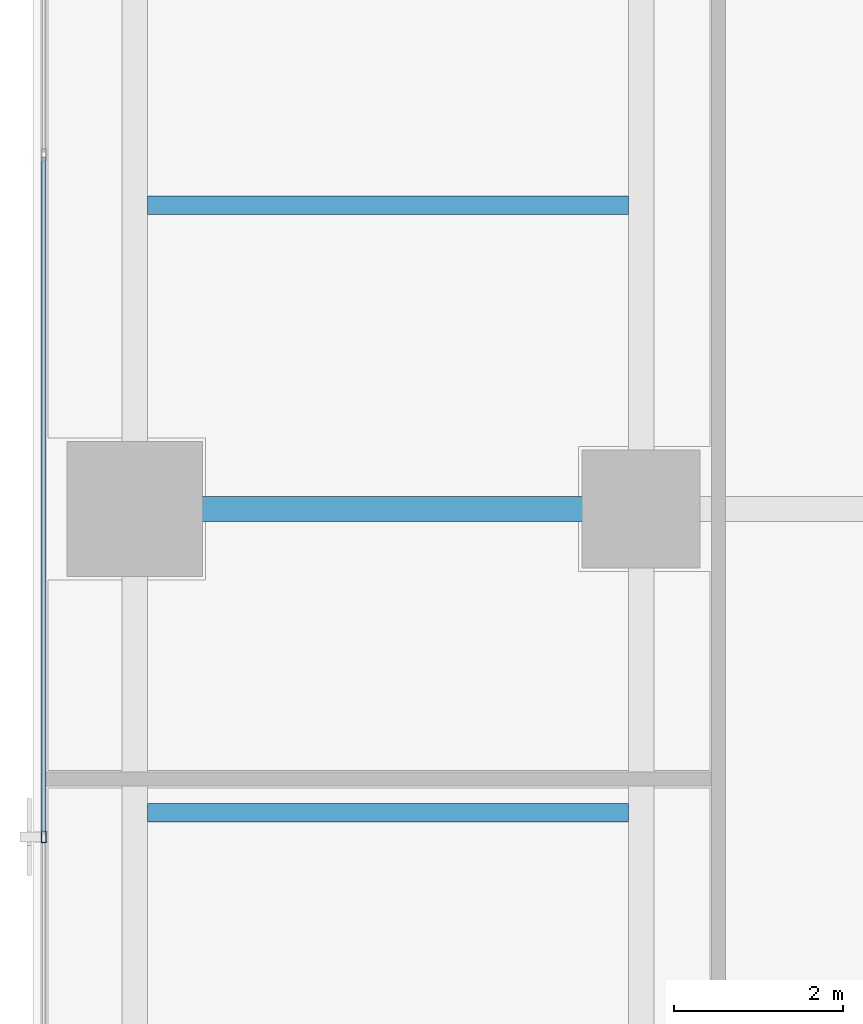
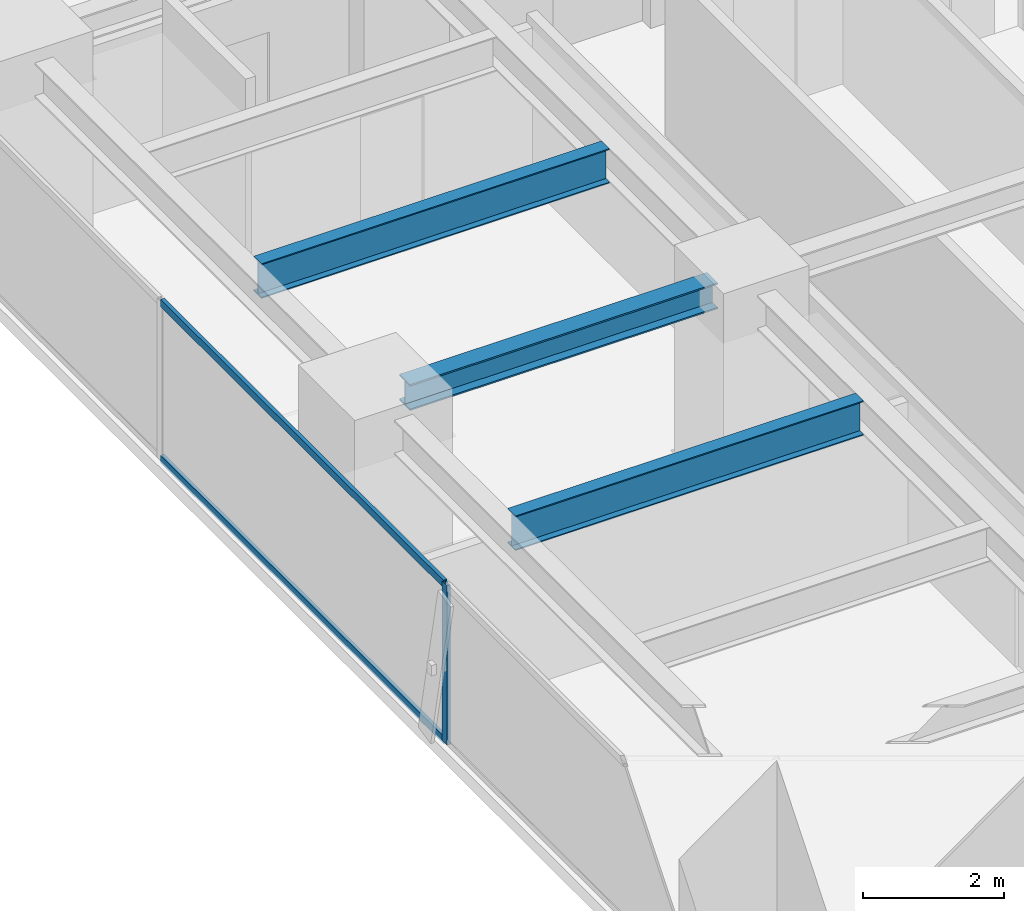
# One storey, part 4 of 31: 3 beams, 3 members, 1 element without a shape of its own.
"""IFC4 building model written with IfcOpenShell, lengths in metres."""

from ifc_helpers import new_model, si_unit, direction, frame, origin, origin_2d, place, context, subcontext, project, spatial, hollow_rectangle, i_section, extrude, source, transform, mapped, material, layer, layer_set, material_profile, profile_set, type_object, element, aggregate, save


model = new_model("IFC4")

# Units and contexts
model_context = context("Model", 3, precision=1e-05, world=origin(), true_north=direction((0.0, 1.0)))
body_context = subcontext(model_context, "Body", "Model", "MODEL_VIEW")
ifc_project = project(units=[si_unit("LENGTHUNIT", "METRE"), si_unit("AREAUNIT", "SQUARE_METRE"), si_unit("VOLUMEUNIT", "CUBIC_METRE"), si_unit("PLANEANGLEUNIT", "RADIAN"), si_unit("MASSUNIT", "GRAM", prefix="KILO")], contexts=[model_context])

# Site, building, storey
site_placement = place(None, origin())
site = spatial("IfcSite", under=ifc_project, at=site_placement, CompositionType="ELEMENT")
building_placement = place(site_placement, origin())
building = spatial("IfcBuilding", under=site, at=building_placement, Name="Sumidabori Civic Tower", CompositionType="ELEMENT")
storey_placement = place(building_placement, frame((0.0, 0.0, 221.60009765625)))
storey = spatial("IfcBuildingStorey", under=building, at=storey_placement, Name="L57", CompositionType="ELEMENT", Elevation=221.60009765625)

# Beams
ifc_material_1 = material(Name="Steel SN490", Category="steel")
ifc_material_profile_1 = material_profile(ifc_material_1, i_section(OverallWidth=0.219970703125, OverallDepth=0.60009765625, WebThickness=0.011962890625, FlangeThickness=0.01904296875, at=origin_2d()), Name="IPE 600")
ifc_profile_set_1 = profile_set([ifc_material_profile_1], Name="Steel SN490")
beam_type_1 = type_object("IfcBeamType", Name="BM-JST-600", PredefinedType="JOIST", material=ifc_profile_set_1)
shared_shape_1 = source(origin(), body_context, "Body", "SweptSolid", [
    extrude(i_section(OverallWidth=0.219970703125, OverallDepth=0.60009765625, WebThickness=0.011962890625, FlangeThickness=0.01904296875, at=origin_2d()), origin(), (0.0, 0.0, 1.0), 5.699951171875),
])
for number, where, z_axis, x_axis, name in (
    (1, (-22.64990234375, -3.60009765625, 3.079833984375), (1.0, 0.0, 0.0), (0.0, 1.0, 0.0), "Outer Bay Floor Joist L57 JSTO-27"),
    (2, (-22.64990234375, 3.60009765625, 3.079833984375), (1.0, 0.0, 0.0), (0.0, 1.0, 0.0), "Outer Bay Floor Joist L57 JSTO-29"),
):
    element("IfcBeam", number, at=place(storey_placement, frame(where, z_axis=z_axis, x_axis=x_axis)), inside=storey, type_object=beam_type_1, Name=name, PredefinedType="JOIST", context=body_context, shape_type="MappedRepresentation", body=[
        mapped(shared_shape_1, transform((0.0, 0.0, 0.0), x_axis=(1.0, 0.0, 0.0), y_axis=(0.0, 1.0, 0.0), z_axis=(0.0, 0.0, 1.0), scale=1.0)),
    ])
ifc_material_profile_2 = material_profile(ifc_material_1, i_section(OverallWidth=0.300048828125, OverallDepth=0.449951171875, WebThickness=0.013916015625, FlangeThickness=0.02587890625, at=origin_2d()), Name="HE 450 B")
ifc_profile_set_2 = profile_set([ifc_material_profile_2], Name="Steel SN490")
beam_type_2 = type_object("IfcBeamType", Name="BM-GIRD-450", PredefinedType="BEAM", material=ifc_profile_set_2)
shared_shape_2 = source(origin(), body_context, "Body", "SweptSolid", [
    extrude(i_section(OverallWidth=0.300048828125, OverallDepth=0.449951171875, WebThickness=0.013916015625, FlangeThickness=0.02587890625, at=origin_2d()), origin(), (0.0, 0.0, 1.0), 5.0400390625),
])
beam_placement = place(storey_placement, frame((-22.320068359375, 0.0, 3.15478515625), z_axis=(1.0, 0.0, 0.0), x_axis=(0.0, 1.0, 0.0)))
element("IfcBeam", 3, at=beam_placement, inside=storey, type_object=beam_type_2, Name="Primary Girder L57 GX-05", PredefinedType="BEAM", context=body_context, shape_type="MappedRepresentation", body=[
    mapped(shared_shape_2, transform((0.0, 0.0, 0.0), x_axis=(1.0, 0.0, 0.0), y_axis=(0.0, 1.0, 0.0), z_axis=(0.0, 0.0, 1.0), scale=1.0)),
])

# Curtain wall, members
ifc_material_2 = material(Name="Anodised Bronze Aluminium AW-6063-T6", Category="aluminium")
ifc_layer = layer(ifc_material_2, 0.179931640625, Name="Anodised Bronze Aluminium AW-6063-T6")
ifc_layer_set = layer_set([ifc_layer], Name="Anodised Bronze Aluminium AW-6063-T6")
curtain_wall_type = type_object("IfcCurtainWallType", Name="CW-SYS-5", PredefinedType="NOTDEFINED", material=ifc_layer_set)
curtain_wall_placement = place(storey_placement, origin())
curtain_wall = element("IfcCurtainWall", 4, at=curtain_wall_placement, inside=storey, type_object=curtain_wall_type, Name="Curtain Wall CW:L57:R22", PredefinedType="NOTDEFINED")
ifc_material_profile_3 = material_profile(ifc_material_2, hollow_rectangle(XDim=0.06005859375, YDim=0.139892578125, WallThickness=0.0048828125, at=origin_2d()), Name="ALU MULLION 140x60")
ifc_profile_set_3 = profile_set([ifc_material_profile_3], Name="Anodised Bronze Aluminium AW-6063-T6")
member_type_1 = type_object("IfcMemberType", Name="CW-MUL-140", PredefinedType="MULLION", material=ifc_profile_set_3)
shared_shape_3 = source(origin(), body_context, "Body", "SweptSolid", [
    extrude(hollow_rectangle(XDim=0.06005859375, YDim=0.139892578125, WallThickness=0.0048828125, at=origin_2d()), origin(), (0.0, 0.0, 1.0), 2.760009765625),
])
member_1_placement = place(storey_placement, frame((-23.8798828125, -3.885009765625, 0.0), z_axis=(0.0, 0.0, 1.0), x_axis=(1.0, 0.0, 0.0)))
member_1 = element("IfcMember", 5, at=member_1_placement, type_object=member_type_1, Name="CW-5 mullion 4", PredefinedType="MULLION", context=body_context, shape_type="MappedRepresentation", body=[
    mapped(shared_shape_3, transform((0.0, 0.0, 0.0), x_axis=(1.0, 0.0, 0.0), y_axis=(0.0, 1.0, 0.0), z_axis=(0.0, 0.0, 1.0), scale=1.0)),
])
ifc_material_profile_4 = material_profile(ifc_material_2, hollow_rectangle(XDim=0.06005859375, YDim=0.1298828125, WallThickness=0.0048828125, at=origin_2d()), Name="ALU TRANSOM 130x60")
ifc_profile_set_4 = profile_set([ifc_material_profile_4], Name="Anodised Bronze Aluminium AW-6063-T6")
member_type_2 = type_object("IfcMemberType", Name="CW-TRN-130", PredefinedType="USERDEFINED", material=ifc_profile_set_4)
shared_shape_4 = source(origin(), body_context, "Body", "SweptSolid", [
    extrude(hollow_rectangle(XDim=0.06005859375, YDim=0.1298828125, WallThickness=0.0048828125, at=origin_2d()), origin(), (0.0, 0.0, 1.0), 8.02490234375),
])
member_2_placement = place(storey_placement, frame((-23.8798828125, 4.169921875, 0.02978515625), z_axis=(0.0, -1.0, 0.0), x_axis=(1.0, 0.0, 0.0)))
member_2 = element("IfcMember", 6, at=member_2_placement, type_object=member_type_2, Name="CW-5 transom 3.1", ObjectType="TRANSOM", PredefinedType="USERDEFINED", context=body_context, shape_type="MappedRepresentation", body=[
    mapped(shared_shape_4, transform((0.0, 0.0, 0.0), x_axis=(1.0, 0.0, 0.0), y_axis=(0.0, 1.0, 0.0), z_axis=(0.0, 0.0, 1.0), scale=1.0)),
])
member_3_placement = place(storey_placement, frame((-23.8798828125, 4.169921875, 2.72998046875), z_axis=(0.0, -1.0, 0.0), x_axis=(1.0, 0.0, 0.0)))
member_3 = element("IfcMember", 7, at=member_3_placement, type_object=member_type_2, Name="CW-5 transom 3.2", ObjectType="TRANSOM", PredefinedType="USERDEFINED", context=body_context, shape_type="MappedRepresentation", body=[
    mapped(shared_shape_4, transform((0.0, 0.0, 0.0), x_axis=(1.0, 0.0, 0.0), y_axis=(0.0, 1.0, 0.0), z_axis=(0.0, 0.0, 1.0), scale=1.0)),
])
aggregate(curtain_wall, [member_1, member_2, member_3])

save(model, "model.ifc")
